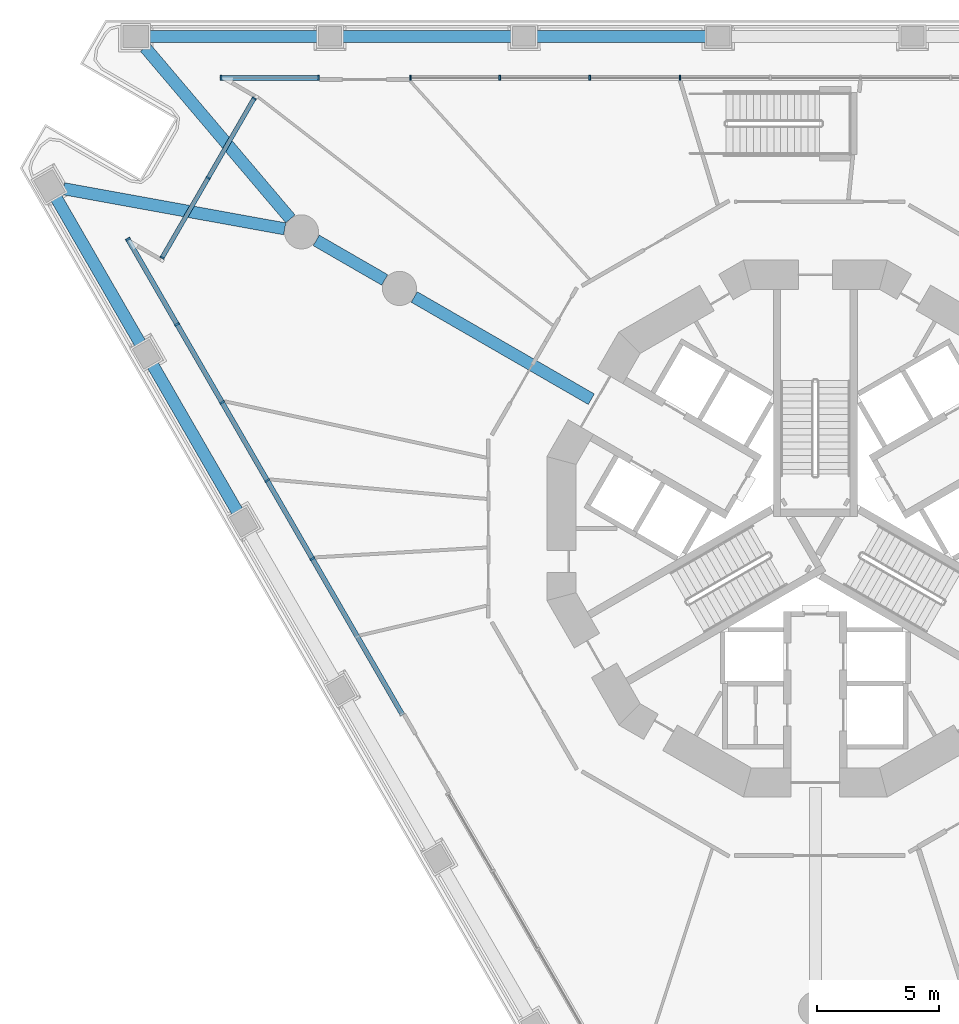
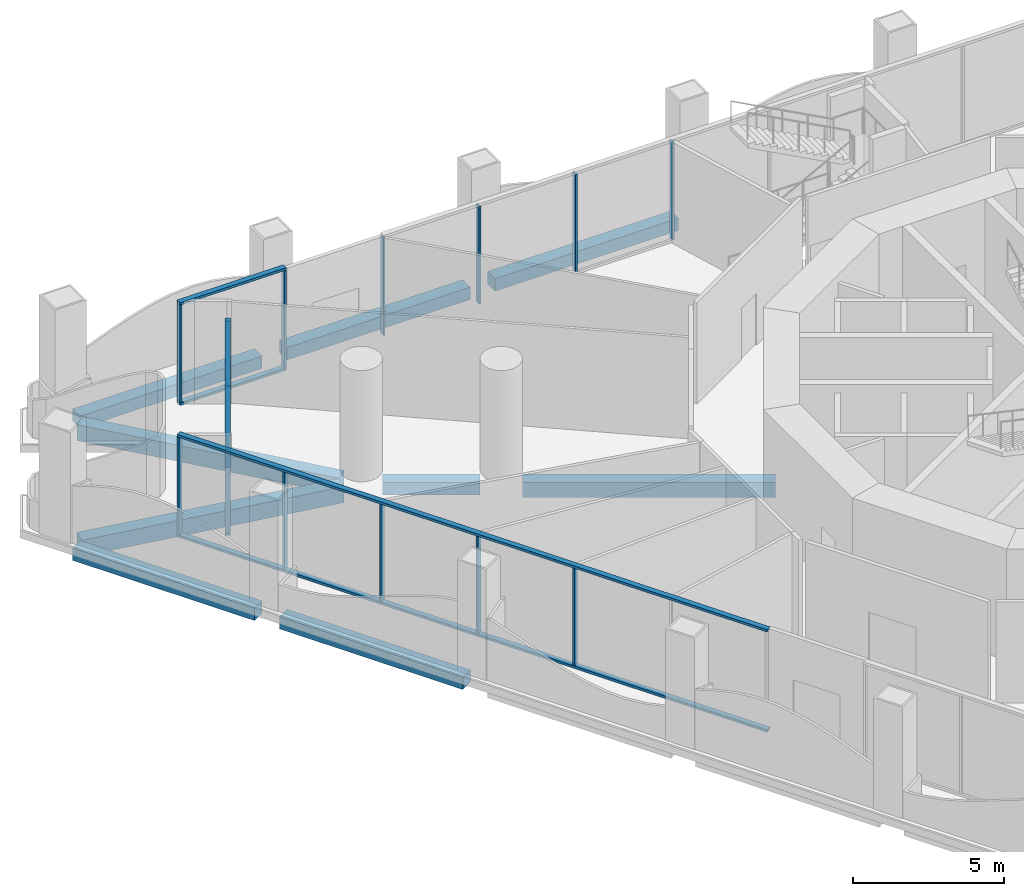
# One storey, part 5 of 23: 20 members, 9 beams, 4 elements without a shape of their own.
"""IFC4 building model written with IfcOpenShell, lengths in metres."""

from ifc_helpers import new_model, si_unit, direction, frame, origin, origin_2d, place, context, subcontext, project, spatial, rectangle, extrude, material, layer, layer_set, material_profile, profile_set, type_object, element, aggregate, save


model = new_model("IFC4")

# Units and contexts
model_context = context("Model", 3, precision=1e-05, world=origin(), true_north=direction((0.0, 1.0)))
body_context = subcontext(model_context, "Body", "Model", "MODEL_VIEW")
ifc_project = project(units=[si_unit("LENGTHUNIT", "METRE"), si_unit("AREAUNIT", "SQUARE_METRE"), si_unit("VOLUMEUNIT", "CUBIC_METRE"), si_unit("PLANEANGLEUNIT", "RADIAN"), si_unit("MASSUNIT", "GRAM", prefix="KILO")], contexts=[model_context])

# Site, building, storey
site_placement = place(None, origin())
site = spatial("IfcSite", under=ifc_project, at=site_placement, CompositionType="ELEMENT")
building_placement = place(site_placement, origin())
building = spatial("IfcBuilding", under=site, at=building_placement, Name="Trine Commons Tower", CompositionType="ELEMENT")
storey_placement = place(building_placement, frame((0.0, 0.0, 18.0)))
storey = spatial("IfcBuildingStorey", under=building, at=storey_placement, Name="L03", CompositionType="ELEMENT", Elevation=18.0)

# Curtain wall, members
ifc_material_1 = material(Name="Corner pocket glazing: anodised aluminium frame with low-emissivity double glazed unit, laminated", Category="aluminium")
ifc_layer_1 = layer(ifc_material_1, 0.179931640625)
ifc_layer_set_1 = layer_set([ifc_layer_1], Name="Corner pocket glazing: anodised aluminium frame with low-emissivity double glazed unit, laminated")
curtain_wall_type_1 = type_object("IfcCurtainWallType", Name="Corner pocket glazing curtain wall CW8", PredefinedType="NOTDEFINED", material=ifc_layer_set_1)
curtain_wall_1_placement = place(storey_placement, origin())
curtain_wall_1 = element("IfcCurtainWall", 1, at=curtain_wall_1_placement, inside=storey, type_object=curtain_wall_type_1, Name="Corner pocket glazing L03 P1.1", PredefinedType="NOTDEFINED")
ifc_material_2 = material(Name="Anodised aluminium, bronze finish", Category="aluminium")
ifc_material_profile_1 = material_profile(ifc_material_2, rectangle(XDim=0.179931640625, YDim=0.06494140625, at=origin_2d()), Name="Mullion 65x180")
ifc_profile_set_1 = profile_set([ifc_material_profile_1], Name="Anodised aluminium, bronze finish")
member_type_1 = type_object("IfcMemberType", Name="Mullion 65x180, Anodised aluminium, bronze finish", PredefinedType="MULLION", material=ifc_profile_set_1)
member_1_placement = place(storey_placement, frame((53.2099609375, 73.616943359375, 0.090087890625), z_axis=(0.0, 0.0, 1.0), x_axis=(-0.866025403784, 0.5, 0.0)))
member_1 = element("IfcMember", 2, at=member_1_placement, type_object=member_type_1, Name="CW8 mullion 1.1", PredefinedType="MULLION", context=body_context, shape_type="SweptSolid", body=[
    extrude(rectangle(XDim=0.179931640625, YDim=0.06494140625, at=origin_2d()), origin(), (0.0, 0.0, 1.0), 3.2998046875),
])
member_2_placement = place(storey_placement, frame((55.09375, 76.879638671875, 0.090087890625), z_axis=(0.0, 0.0, 1.0), x_axis=(-0.866025403784, 0.5, 0.0)))
member_2 = element("IfcMember", 3, at=member_2_placement, type_object=member_type_1, Name="CW8 mullion 2.1", PredefinedType="MULLION", context=body_context, shape_type="SweptSolid", body=[
    extrude(rectangle(XDim=0.179931640625, YDim=0.06494140625, at=origin_2d()), origin(), (0.0, 0.0, 1.0), 3.2998046875),
])
member_3_placement = place(storey_placement, frame((56.9775390625, 80.142333984375, 0.090087890625), z_axis=(0.0, 0.0, 1.0), x_axis=(-0.866025403784, 0.5, 0.0)))
member_3 = element("IfcMember", 4, at=member_3_placement, type_object=member_type_1, Name="CW8 mullion 3.1", PredefinedType="MULLION", context=body_context, shape_type="SweptSolid", body=[
    extrude(rectangle(XDim=0.179931640625, YDim=0.06494140625, at=origin_2d()), origin(), (0.0, 0.0, 1.0), 3.2998046875),
])

ifc_material_3 = material(Name="Podium glazing: anodised aluminium frame with low-emissivity double glazed unit", Category="aluminium")
ifc_layer_2 = layer(ifc_material_3, 0.199951171875)
ifc_layer_set_2 = layer_set([ifc_layer_2], Name="Podium glazing: anodised aluminium frame with low-emissivity double glazed unit")
curtain_wall_type_2 = type_object("IfcCurtainWallType", Name="Podium glazing curtain wall CW3", PredefinedType="NOTDEFINED", material=ifc_layer_set_2)
curtain_wall_2_placement = place(storey_placement, origin())
curtain_wall_2 = element("IfcCurtainWall", 5, at=curtain_wall_2_placement, inside=storey, type_object=curtain_wall_type_2, Name="Podium glazing L03 F1.1", PredefinedType="NOTDEFINED")
ifc_material_profile_2 = material_profile(ifc_material_2, rectangle(XDim=0.199951171875, YDim=0.074951171875, at=origin_2d()), Name="Mullion 75x200")
ifc_profile_set_2 = profile_set([ifc_material_profile_2], Name="Anodised aluminium, bronze finish")
member_type_2 = type_object("IfcMemberType", Name="Mullion 75x200, Anodised aluminium, bronze finish", PredefinedType="MULLION", material=ifc_profile_set_2)
member_4_placement = place(storey_placement, frame((55.62109375, 80.984619140625, 0.10009765625), z_axis=(0.0, 0.0, 1.0), x_axis=(0.0, 1.0, 0.0)))
member_4 = element("IfcMember", 6, at=member_4_placement, type_object=member_type_2, Name="CW3 mullion 1.1", PredefinedType="MULLION", context=body_context, shape_type="SweptSolid", body=[
    extrude(rectangle(XDim=0.199951171875, YDim=0.074951171875, at=origin_2d()), origin(), (0.0, 0.0, 1.0), 3.949951171875),
])
member_5_placement = place(storey_placement, frame((59.618408203125, 80.984619140625, 0.10009765625), z_axis=(0.0, 0.0, 1.0), x_axis=(0.0, 1.0, 0.0)))
member_5 = element("IfcMember", 7, at=member_5_placement, type_object=member_type_2, Name="CW3 mullion 2.1", PredefinedType="MULLION", context=body_context, shape_type="SweptSolid", body=[
    extrude(rectangle(XDim=0.199951171875, YDim=0.074951171875, at=origin_2d()), origin(), (0.0, 0.0, 1.0), 3.949951171875),
])

curtain_wall_3_placement = place(storey_placement, origin())
curtain_wall_3 = element("IfcCurtainWall", 8, at=curtain_wall_3_placement, inside=storey, type_object=curtain_wall_type_2, Name="Podium glazing L03 F1.2", PredefinedType="NOTDEFINED")
member_6_placement = place(storey_placement, frame((63.39208984375, 80.984619140625, 0.10009765625), z_axis=(0.0, 0.0, 1.0), x_axis=(0.0, 1.0, 0.0)))
member_6 = element("IfcMember", 9, at=member_6_placement, type_object=member_type_2, Name="CW3 mullion 1.1", PredefinedType="MULLION", context=body_context, shape_type="SweptSolid", body=[
    extrude(rectangle(XDim=0.199951171875, YDim=0.074951171875, at=origin_2d()), origin(), (0.0, 0.0, 1.0), 3.949951171875),
])
member_7_placement = place(storey_placement, frame((67.0537109375, 80.984619140625, 0.10009765625), z_axis=(0.0, 0.0, 1.0), x_axis=(0.0, 1.0, 0.0)))
member_7 = element("IfcMember", 10, at=member_7_placement, type_object=member_type_2, Name="CW3 mullion 2.1", PredefinedType="MULLION", context=body_context, shape_type="SweptSolid", body=[
    extrude(rectangle(XDim=0.199951171875, YDim=0.074951171875, at=origin_2d()), origin(), (0.0, 0.0, 1.0), 3.949951171875),
])
member_8_placement = place(storey_placement, frame((70.75244140625, 80.984619140625, 0.10009765625), z_axis=(0.0, 0.0, 1.0), x_axis=(0.0, 1.0, 0.0)))
member_8 = element("IfcMember", 11, at=member_8_placement, type_object=member_type_2, Name="CW3 mullion 3.1", PredefinedType="MULLION", context=body_context, shape_type="SweptSolid", body=[
    extrude(rectangle(XDim=0.199951171875, YDim=0.074951171875, at=origin_2d()), origin(), (0.0, 0.0, 1.0), 3.949951171875),
])
member_9_placement = place(storey_placement, frame((74.451416015625, 80.984619140625, 0.10009765625), z_axis=(0.0, 0.0, 1.0), x_axis=(0.0, 1.0, 0.0)))
member_9 = element("IfcMember", 12, at=member_9_placement, type_object=member_type_2, Name="CW3 mullion 4.1", PredefinedType="MULLION", context=body_context, shape_type="SweptSolid", body=[
    extrude(rectangle(XDim=0.199951171875, YDim=0.074951171875, at=origin_2d()), origin(), (0.0, 0.0, 1.0), 3.949951171875),
])
aggregate(curtain_wall_3, [member_6, member_7, member_8, member_9])

curtain_wall_4_placement = place(storey_placement, origin())
curtain_wall_4 = element("IfcCurtainWall", 13, at=curtain_wall_4_placement, inside=storey, type_object=curtain_wall_type_2, Name="Podium glazing L03 F3.2", PredefinedType="NOTDEFINED")
member_10_placement = place(storey_placement, frame((59.368408203125, 61.265869140625, 0.10009765625), z_axis=(0.0, 0.0, 1.0), x_axis=(-0.866025403784, -0.5, 0.0)))
member_10 = element("IfcMember", 14, at=member_10_placement, type_object=member_type_2, Name="CW3 mullion 3.1", PredefinedType="MULLION", context=body_context, shape_type="SweptSolid", body=[
    extrude(rectangle(XDim=0.199951171875, YDim=0.074951171875, at=origin_2d()), origin(), (0.0, 0.0, 1.0), 3.949951171875),
])
member_11_placement = place(storey_placement, frame((57.518798828125, 64.46923828125, 0.10009765625), z_axis=(0.0, 0.0, 1.0), x_axis=(-0.866025403784, -0.5, 0.0)))
member_11 = element("IfcMember", 15, at=member_11_placement, type_object=member_type_2, Name="CW3 mullion 4.1", PredefinedType="MULLION", context=body_context, shape_type="SweptSolid", body=[
    extrude(rectangle(XDim=0.199951171875, YDim=0.074951171875, at=origin_2d()), origin(), (0.0, 0.0, 1.0), 3.949951171875),
])
member_12_placement = place(storey_placement, frame((55.66943359375, 67.672607421875, 0.10009765625), z_axis=(0.0, 0.0, 1.0), x_axis=(-0.866025403784, -0.5, 0.0)))
member_12 = element("IfcMember", 16, at=member_12_placement, type_object=member_type_2, Name="CW3 mullion 5.1", PredefinedType="MULLION", context=body_context, shape_type="SweptSolid", body=[
    extrude(rectangle(XDim=0.199951171875, YDim=0.074951171875, at=origin_2d()), origin(), (0.0, 0.0, 1.0), 3.949951171875),
])
member_13_placement = place(storey_placement, frame((53.820068359375, 70.8759765625, 0.10009765625), z_axis=(0.0, 0.0, 1.0), x_axis=(-0.866025403784, -0.5, 0.0)))
member_13 = element("IfcMember", 17, at=member_13_placement, type_object=member_type_2, Name="CW3 mullion 6.1", PredefinedType="MULLION", context=body_context, shape_type="SweptSolid", body=[
    extrude(rectangle(XDim=0.199951171875, YDim=0.074951171875, at=origin_2d()), origin(), (0.0, 0.0, 1.0), 3.949951171875),
])
member_14_placement = place(storey_placement, frame((51.802490234375, 74.370361328125, 0.10009765625), z_axis=(0.0, 0.0, 1.0), x_axis=(-0.866025403784, -0.5, 0.0)))
member_14 = element("IfcMember", 18, at=member_14_placement, type_object=member_type_2, Name="CW3 mullion 7.1", PredefinedType="MULLION", context=body_context, shape_type="SweptSolid", body=[
    extrude(rectangle(XDim=0.199951171875, YDim=0.074951171875, at=origin_2d()), origin(), (0.0, 0.0, 1.0), 3.949951171875),
])

# Beams
ifc_material_4 = material(Name="Concrete C50/60", Category="concrete")
ifc_material_profile_3 = material_profile(ifc_material_4, rectangle(XDim=0.5, YDim=0.5, at=origin_2d()), Name="RC 500x500")
ifc_profile_set_3 = profile_set([ifc_material_profile_3], Name="Concrete C50/60")
beam_type_1 = type_object("IfcBeamType", Name="RC beam 500x500, C50/60", PredefinedType="BEAM", material=ifc_profile_set_3)
beam_1_placement = place(storey_placement, frame((56.3095703125, 63.163818359375, -0.60009765625), z_axis=(-0.499991645397, 0.866030227263, 0.0), x_axis=(-0.866030227263, -0.499991645397, 0.0)))
element("IfcBeam", 19, at=beam_1_placement, inside=storey, type_object=beam_type_1, Name="Beam EB1-06 L03", PredefinedType="BEAM", context=body_context, shape_type="SweptSolid", body=[
    extrude(rectangle(XDim=0.5, YDim=0.5, at=origin_2d()), origin(), (0.0, 0.0, 1.0), 7.01318359375),
])
for number, where, z_axis, x_axis, name in (
    (20, (52.327880859375, 70.060302734375, -0.60009765625), (-0.49999660792, 0.866027362194, 0.0), (-0.866027362194, -0.49999660792, 0.0), "Beam EB1-07 L03"),
    (21, (52.6533203125, 82.6845703125, -0.60009765625), (1.0, 0.0, 0.0), (0.0, 1.0, 0.0), "Beam EB1-08 L03"),
):
    element("IfcBeam", number, at=place(storey_placement, frame(where, z_axis=z_axis, x_axis=x_axis)), inside=storey, type_object=beam_type_1, Name=name, PredefinedType="BEAM", context=body_context, shape_type="SweptSolid", body=[
        extrude(rectangle(XDim=0.5, YDim=0.5, at=origin_2d()), origin(), (0.0, 0.0, 1.0), 6.96337890625),
    ])
beam_2_placement = place(storey_placement, frame((60.566650390625, 82.6845703125, -0.60009765625), z_axis=(1.0, 0.0, 0.0), x_axis=(0.0, 1.0, 0.0)))
element("IfcBeam", 22, at=beam_2_placement, inside=storey, type_object=beam_type_1, Name="Beam EB1-09 L03", PredefinedType="BEAM", context=body_context, shape_type="SweptSolid", body=[
    extrude(rectangle(XDim=0.5, YDim=0.5, at=origin_2d()), origin(), (0.0, 0.0, 1.0), 7.01318359375),
])
beam_3_placement = place(storey_placement, frame((68.52978515625, 82.6845703125, -0.60009765625), z_axis=(1.0, 0.0, 0.0), x_axis=(0.0, 1.0, 0.0)))
element("IfcBeam", 23, at=beam_3_placement, inside=storey, type_object=beam_type_1, Name="Beam EB1-10 L03", PredefinedType="BEAM", context=body_context, shape_type="SweptSolid", body=[
    extrude(rectangle(XDim=0.5, YDim=0.5, at=origin_2d()), origin(), (0.0, 0.0, 1.0), 7.013427734375),
])
beam_4_placement = place(storey_placement, frame((62.336181640625, 72.697998046875, -0.60009765625), z_axis=(-0.865996235589, 0.500050517394, 0.0), x_axis=(-0.500050517394, -0.865996235589, 0.0)))
element("IfcBeam", 24, at=beam_4_placement, inside=storey, type_object=beam_type_1, Name="Beam RB1-06 L03", PredefinedType="BEAM", context=body_context, shape_type="SweptSolid", body=[
    extrude(rectangle(XDim=0.5, YDim=0.5, at=origin_2d()), origin(), (0.0, 0.0, 1.0), 3.242431640625),
])
ifc_material_profile_4 = material_profile(ifc_material_4, rectangle(XDim=0.5, YDim=0.60009765625, at=origin_2d()), Name="RC 500x600")
ifc_profile_set_4 = profile_set([ifc_material_profile_4], Name="Concrete C50/60")
beam_type_2 = type_object("IfcBeamType", Name="RC beam 500x600, C50/60", PredefinedType="BEAM", material=ifc_profile_set_4)
beam_5_placement = place(storey_placement, frame((70.81005859375, 67.805908203125, -0.64990234375), z_axis=(-0.866038208851, 0.499977820318, 0.0), x_axis=(-0.499977820318, -0.866038208851, 0.0)))
element("IfcBeam", 25, at=beam_5_placement, inside=storey, type_object=beam_type_2, Name="Beam RB1-05 L03", PredefinedType="BEAM", context=body_context, shape_type="SweptSolid", body=[
    extrude(rectangle(XDim=0.5, YDim=0.60009765625, at=origin_2d()), origin(), (0.0, 0.0, 1.0), 8.38623046875),
])
ifc_material_profile_5 = material_profile(ifc_material_4, rectangle(XDim=0.5, YDim=0.64990234375, at=origin_2d()), Name="RC 500x650")
ifc_profile_set_5 = profile_set([ifc_material_profile_5], Name="Concrete C50/60")
beam_type_3 = type_object("IfcBeamType", Name="RC beam 500x650, C50/60", PredefinedType="BEAM", material=ifc_profile_set_5)
for number, where, z_axis, x_axis, name in (
    (26, (49.1640625, 76.440185546875, -0.675048828125), (0.983921563764, -0.178601109628, 0.0), (0.178601109628, 0.983921563764, 0.0), "Beam CB1-01 L03"),
    (27, (52.509521484375, 82.234619140625, -0.675048828125), (0.646611559024, -0.762819435867, 0.0), (0.762819435867, 0.646611559024, 0.0), "Beam CB1-02 L03"),
):
    element("IfcBeam", number, at=place(storey_placement, frame(where, z_axis=z_axis, x_axis=x_axis)), inside=storey, type_object=beam_type_3, Name=name, PredefinedType="BEAM", context=body_context, shape_type="SweptSolid", body=[
        extrude(rectangle(XDim=0.5, YDim=0.64990234375, at=origin_2d()), origin(), (0.0, 0.0, 1.0), 9.21875),
    ])

# Member
ifc_material_profile_6 = material_profile(ifc_material_2, rectangle(XDim=0.199951171875, YDim=0.10009765625, at=origin_2d()), Name="Transom 100x200")
ifc_profile_set_6 = profile_set([ifc_material_profile_6], Name="Anodised aluminium, bronze finish")
member_type_3 = type_object("IfcMemberType", Name="Transom 100x200, Anodised aluminium, bronze finish", PredefinedType="USERDEFINED", material=ifc_profile_set_6)
member_15_placement = place(storey_placement, frame((55.583740234375, 80.984619140625, 0.050048828125), z_axis=(1.0, 0.0, 0.0), x_axis=(0.0, 1.0, 0.0)))
member_15 = element("IfcMember", 28, at=member_15_placement, type_object=member_type_3, Name="CW3 transom T00", ObjectType="TRANSOM", PredefinedType="USERDEFINED", context=body_context, shape_type="SweptSolid", body=[
    extrude(rectangle(XDim=0.199951171875, YDim=0.10009765625, at=origin_2d()), origin(), (0.0, 0.0, 1.0), 4.072021484375),
])

member_16_placement = place(storey_placement, frame((55.583740234375, 80.984619140625, 4.10009765625), z_axis=(1.0, 0.0, 0.0), x_axis=(0.0, 1.0, 0.0)))
member_16 = element("IfcMember", 29, at=member_16_placement, type_object=member_type_3, Name="CW3 transom TH00", ObjectType="TRANSOM", PredefinedType="USERDEFINED", context=body_context, shape_type="SweptSolid", body=[
    extrude(rectangle(XDim=0.199951171875, YDim=0.10009765625, at=origin_2d()), origin(), (0.0, 0.0, 1.0), 4.072021484375),
])

aggregate(curtain_wall_2, [member_15, member_16, member_4, member_5])

member_17_placement = place(storey_placement, frame((63.067138671875, 54.859130859375, 0.050048828125), z_axis=(-0.499996215711, 0.866027588634, 0.0), x_axis=(-0.866027588634, -0.499996215711, 0.0)))
member_17 = element("IfcMember", 30, at=member_17_placement, type_object=member_type_3, Name="CW3 transom T00", ObjectType="TRANSOM", PredefinedType="USERDEFINED", context=body_context, shape_type="SweptSolid", body=[
    extrude(rectangle(XDim=0.199951171875, YDim=0.10009765625, at=origin_2d()), origin(), (0.0, 0.0, 1.0), 22.567138671875),
])

member_18_placement = place(storey_placement, frame((63.067138671875, 54.859130859375, 4.10009765625), z_axis=(-0.499996215711, 0.866027588634, 0.0), x_axis=(-0.866027588634, -0.499996215711, 0.0)))
member_18 = element("IfcMember", 31, at=member_18_placement, type_object=member_type_3, Name="CW3 transom TH00", ObjectType="TRANSOM", PredefinedType="USERDEFINED", context=body_context, shape_type="SweptSolid", body=[
    extrude(rectangle(XDim=0.199951171875, YDim=0.10009765625, at=origin_2d()), origin(), (0.0, 0.0, 1.0), 22.567138671875),
])

aggregate(curtain_wall_4, [member_17, member_18, member_10, member_11, member_12, member_13, member_14])

ifc_material_profile_7 = material_profile(ifc_material_2, rectangle(XDim=0.179931640625, YDim=0.090087890625, at=origin_2d()), Name="Transom 90x180")
ifc_profile_set_7 = profile_set([ifc_material_profile_7], Name="Anodised aluminium, bronze finish")
member_type_4 = type_object("IfcMemberType", Name="Transom 90x180, Anodised aluminium, bronze finish", PredefinedType="USERDEFINED", material=ifc_profile_set_7)
member_19_placement = place(storey_placement, frame((53.19384765625, 73.588623046875, 0.044921875), z_axis=(0.500005158081, 0.866022425744, 0.0), x_axis=(-0.866022425744, 0.500005158081, 0.0)))
member_19 = element("IfcMember", 32, at=member_19_placement, type_object=member_type_4, Name="CW8 transom T00", ObjectType="TRANSOM", PredefinedType="USERDEFINED", context=body_context, shape_type="SweptSolid", body=[
    extrude(rectangle(XDim=0.179931640625, YDim=0.090087890625, at=origin_2d()), origin(), (0.0, 0.0, 1.0), 7.60009765625),
])

member_20_placement = place(storey_placement, frame((53.19384765625, 73.588623046875, 3.43505859375), z_axis=(0.500005158081, 0.866022425744, 0.0), x_axis=(-0.866022425744, 0.500005158081, 0.0)))
member_20 = element("IfcMember", 33, at=member_20_placement, type_object=member_type_4, Name="CW8 transom TH00", ObjectType="TRANSOM", PredefinedType="USERDEFINED", context=body_context, shape_type="SweptSolid", body=[
    extrude(rectangle(XDim=0.179931640625, YDim=0.090087890625, at=origin_2d()), origin(), (0.0, 0.0, 1.0), 7.60009765625),
])

aggregate(curtain_wall_1, [member_19, member_20, member_1, member_2, member_3])

save(model, "model.ifc")
